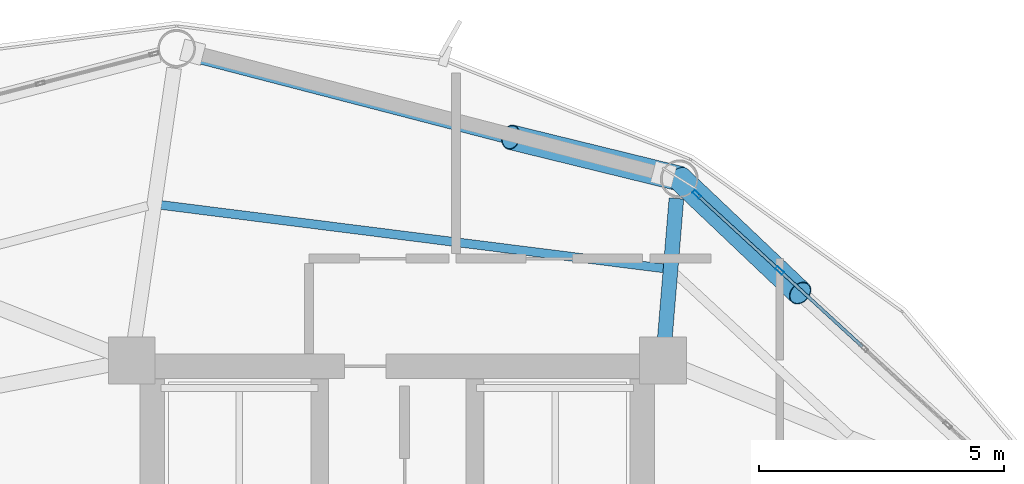
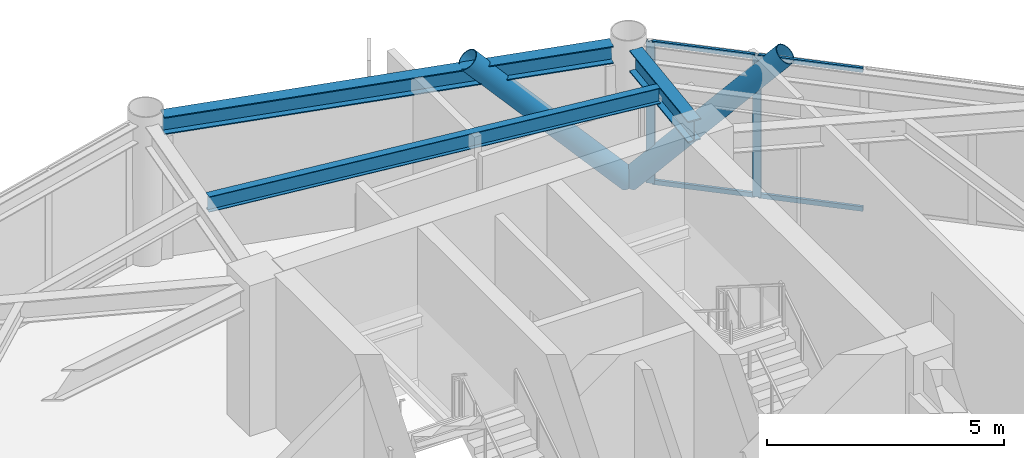
# One storey, part 19 of 25: 8 members, 3 beams, 1 element without a shape of its own.
"""IFC4 building model written with IfcOpenShell, lengths in metres."""

from ifc_helpers import new_model, si_unit, direction, frame, origin, origin_2d, place, context, subcontext, project, spatial, hollow_rectangle, hollow_circle, i_section, extrude, material, layer, layer_set, material_profile, profile_set, type_object, element, aggregate, save


model = new_model("IFC4")

# Units and contexts
model_context = context("Model", 3, precision=1e-05, world=origin(), true_north=direction((0.0, 1.0)))
body_context = subcontext(model_context, "Body", "Model", "MODEL_VIEW")
ifc_project = project(units=[si_unit("LENGTHUNIT", "METRE"), si_unit("AREAUNIT", "SQUARE_METRE"), si_unit("VOLUMEUNIT", "CUBIC_METRE"), si_unit("PLANEANGLEUNIT", "RADIAN"), si_unit("MASSUNIT", "GRAM", prefix="KILO")], contexts=[model_context])

# Site, building, storey
site_placement = place(None, origin())
site = spatial("IfcSite", under=ifc_project, at=site_placement, CompositionType="ELEMENT")
building_placement = place(site_placement, origin())
building = spatial("IfcBuilding", under=site, at=building_placement, Name="Varnakorn Sky Granary", CompositionType="ELEMENT")
storey_placement = place(building_placement, frame((0.0, 0.0, 157.800048828125)))
storey = spatial("IfcBuildingStorey", under=building, at=storey_placement, Name="L39", CompositionType="ELEMENT", Elevation=157.800048828125)

# Beams
ifc_material_1 = material(Name="Steel S355JR", Category="steel")
ifc_material_profile_1 = material_profile(ifc_material_1, i_section(OverallWidth=0.300048828125, OverallDepth=0.550048828125, WebThickness=0.014892578125, FlangeThickness=0.029052734375, at=origin_2d()), Name="HE 550 B")
ifc_profile_set_1 = profile_set([ifc_material_profile_1], Name="Steel S355JR")
beam_type_1 = type_object("IfcBeamType", Name="BM-RAD-Z3", PredefinedType="BEAM", material=ifc_profile_set_1)
beam_1_placement = place(storey_placement, frame((8.45458984375, 13.03857421875, 3.364990234375), z_axis=(0.082605991626, 0.996582284685, 0.0), x_axis=(-0.996582284685, 0.082605991626, 0.0)))
element("IfcBeam", 1, at=beam_1_placement, inside=storey, type_object=beam_type_1, Name="Radial Floor Girder RG03 L39", PredefinedType="BEAM", context=body_context, shape_type="SweptSolid", body=[
    extrude(i_section(OverallWidth=0.300048828125, OverallDepth=0.550048828125, WebThickness=0.014892578125, FlangeThickness=0.029052734375, at=origin_2d()), origin(), (0.0, 0.0, 1.0), 2.896484375),
])
ifc_material_profile_2 = material_profile(ifc_material_1, i_section(OverallWidth=0.179931640625, OverallDepth=0.39990234375, WebThickness=0.008544921875, FlangeThickness=0.013427734375, at=origin_2d()), Name="IPE 400")
ifc_profile_set_2 = profile_set([ifc_material_profile_2], Name="Steel S355JR")
beam_type_2 = type_object("IfcBeamType", Name="BM-SEC-Z3", PredefinedType="BEAM", material=ifc_profile_set_2)
beam_2_placement = place(storey_placement, frame((8.435302734375, 14.49951171875, 3.43994140625), z_axis=(-0.992150137881, 0.125052404625, 0.0), x_axis=(-0.125052404625, -0.992150137881, 0.0)))
element("IfcBeam", 2, at=beam_2_placement, inside=storey, type_object=beam_type_2, Name="Secondary Floor Chord Beam MSB03 L39", PredefinedType="BEAM", context=body_context, shape_type="SweptSolid", body=[
    extrude(i_section(OverallWidth=0.179931640625, OverallDepth=0.39990234375, WebThickness=0.008544921875, FlangeThickness=0.013427734375, at=origin_2d()), origin(), (0.0, 0.0, 1.0), 10.33349609375),
])
ifc_material_profile_3 = material_profile(ifc_material_1, i_section(OverallWidth=0.300048828125, OverallDepth=0.449951171875, WebThickness=0.013916015625, FlangeThickness=0.02587890625, at=origin_2d()), Name="HE 450 B")
ifc_profile_set_3 = profile_set([ifc_material_profile_3], Name="Steel S355JR")
beam_type_3 = type_object("IfcBeamType", Name="BM-SPD-Z3", PredefinedType="SPANDREL", material=ifc_profile_set_3)
beam_3_placement = place(storey_placement, frame((8.369873046875, 16.3818359375, 3.4150390625), z_axis=(-0.967893589884, 0.251360296511, 0.0), x_axis=(-0.251360296511, -0.967893589884, 0.0)))
element("IfcBeam", 3, at=beam_3_placement, inside=storey, type_object=beam_type_3, Name="Perimeter Spandrel Ring Beam RB03 L39", PredefinedType="SPANDREL", context=body_context, shape_type="SweptSolid", body=[
    extrude(i_section(OverallWidth=0.300048828125, OverallDepth=0.449951171875, WebThickness=0.013916015625, FlangeThickness=0.02587890625, at=origin_2d()), origin(), (0.0, 0.0, 1.0), 9.831298828125),
])

# Curtain wall, members
ifc_material_2 = material(Name="Anodised Bronze Aluminium Alloy 6063-T6", Category="aluminium")
ifc_layer = layer(ifc_material_2, 0.179931640625, Name="Anodised Bronze Aluminium Alloy 6063-T6")
ifc_layer_set = layer_set([ifc_layer], Name="Anodised Bronze Aluminium Alloy 6063-T6")
curtain_wall_type = type_object("IfcCurtainWallType", Name="CW-FRM-2", PredefinedType="USERDEFINED", material=ifc_layer_set)
curtain_wall_placement = place(storey_placement, origin())
curtain_wall = element("IfcCurtainWall", 4, at=curtain_wall_placement, inside=storey, type_object=curtain_wall_type, Name="Unitised Curtain Wall CW4 CW-L39-B02", ObjectType="CURTAIN WALL", PredefinedType="USERDEFINED")
ifc_material_profile_4 = material_profile(ifc_material_2, hollow_rectangle(XDim=0.070068359375, YDim=0.18505859375, WallThickness=0.00390625, at=origin_2d()), Name="ALU MULL 70x185")
ifc_profile_set_4 = profile_set([ifc_material_profile_4], Name="Anodised Bronze Aluminium Alloy 6063-T6")
member_type_1 = type_object("IfcMemberType", Name="CW-FRM-2-MULL", PredefinedType="MULLION", material=ifc_profile_set_4)
member_1_placement = place(storey_placement, frame((9.10791015625, 16.009521484375, 0.0), z_axis=(0.0, 0.0, 1.0), x_axis=(0.676758169844, 0.73620539223, 0.0)))
member_1 = element("IfcMember", 5, at=member_1_placement, type_object=member_type_1, Name="CW4 mullion 1", PredefinedType="MULLION", context=body_context, shape_type="SweptSolid", body=[
    extrude(hollow_rectangle(XDim=0.070068359375, YDim=0.18505859375, WallThickness=0.00390625, at=origin_2d()), origin(), (0.0, 0.0, 1.0), 3.639892578125),
])
member_2_placement = place(storey_placement, frame((10.797119140625, 14.456787109375, 0.0), z_axis=(0.0, 0.0, 1.0), x_axis=(0.676758169844, 0.73620539223, 0.0)))
member_2 = element("IfcMember", 6, at=member_2_placement, type_object=member_type_1, Name="CW4 mullion 2", PredefinedType="MULLION", context=body_context, shape_type="SweptSolid", body=[
    extrude(hollow_rectangle(XDim=0.070068359375, YDim=0.18505859375, WallThickness=0.00390625, at=origin_2d()), origin(), (0.0, 0.0, 1.0), 3.639892578125),
])
ifc_material_profile_5 = material_profile(ifc_material_2, hollow_rectangle(XDim=0.06494140625, YDim=0.1201171875, WallThickness=0.00341796875, at=origin_2d()), Name="ALU TRAN 65x120")
ifc_profile_set_5 = profile_set([ifc_material_profile_5], Name="Anodised Bronze Aluminium Alloy 6063-T6")
member_type_2 = type_object("IfcMemberType", Name="CW-FRM-2-TRAN", PredefinedType="USERDEFINED", material=ifc_profile_set_5)
member_3_placement = place(storey_placement, frame((9.1337890625, 15.98583984375, 0.032470703125), z_axis=(0.736173791473, -0.676792544838, 0.0), x_axis=(0.676792544838, 0.736173791473, 0.0)))
member_3 = element("IfcMember", 7, at=member_3_placement, type_object=member_type_2, Name="CW4 transom 1.1", ObjectType="TRANSOM", PredefinedType="USERDEFINED", context=body_context, shape_type="SweptSolid", body=[
    extrude(hollow_rectangle(XDim=0.06494140625, YDim=0.1201171875, WallThickness=0.00341796875, at=origin_2d()), origin(), (0.0, 0.0, 1.0), 2.224365234375),
])
member_4_placement = place(storey_placement, frame((9.1337890625, 15.98583984375, 3.607421875), z_axis=(0.736173791473, -0.676792544838, 0.0), x_axis=(0.676792544838, 0.736173791473, 0.0)))
member_4 = element("IfcMember", 8, at=member_4_placement, type_object=member_type_2, Name="CW4 transom 1.2", ObjectType="TRANSOM", PredefinedType="USERDEFINED", context=body_context, shape_type="SweptSolid", body=[
    extrude(hollow_rectangle(XDim=0.06494140625, YDim=0.1201171875, WallThickness=0.00341796875, at=origin_2d()), origin(), (0.0, 0.0, 1.0), 2.224365234375),
])
member_5_placement = place(storey_placement, frame((10.82275390625, 14.43310546875, 0.032470703125), z_axis=(0.736247494984, -0.676712365877, 0.0), x_axis=(0.676712365877, 0.736247494984, 0.0)))
member_5 = element("IfcMember", 9, at=member_5_placement, type_object=member_type_2, Name="CW4 transom 2.1", ObjectType="TRANSOM", PredefinedType="USERDEFINED", context=body_context, shape_type="SweptSolid", body=[
    extrude(hollow_rectangle(XDim=0.06494140625, YDim=0.1201171875, WallThickness=0.00341796875, at=origin_2d()), origin(), (0.0, 0.0, 1.0), 2.259521484375),
])
member_6_placement = place(storey_placement, frame((10.82275390625, 14.43310546875, 3.607421875), z_axis=(0.736247494984, -0.676712365877, 0.0), x_axis=(0.676712365877, 0.736247494984, 0.0)))
member_6 = element("IfcMember", 10, at=member_6_placement, type_object=member_type_2, Name="CW4 transom 2.2", ObjectType="TRANSOM", PredefinedType="USERDEFINED", context=body_context, shape_type="SweptSolid", body=[
    extrude(hollow_rectangle(XDim=0.06494140625, YDim=0.1201171875, WallThickness=0.00341796875, at=origin_2d()), origin(), (0.0, 0.0, 1.0), 2.259521484375),
])
aggregate(curtain_wall, [member_1, member_2, member_3, member_4, member_5, member_6])

# Members
ifc_material_3 = material(Name="Steel S460M", Category="steel")
ifc_material_profile_6 = material_profile(ifc_material_3, hollow_circle(Radius=0.25390625, WallThickness=0.01806640625, at=origin_2d()), Name="CHS 508x18")
ifc_profile_set_6 = profile_set([ifc_material_profile_6], Name="Steel S460M")
member_type_3 = type_object("IfcMemberType", Name="MB-DIAG-T2", PredefinedType="BRACE", material=ifc_profile_set_6)
member_7_placement = place(storey_placement, frame((8.757568359375, 16.33154296875, 0.0), z_axis=(0.483777998943, -0.459303563921, 0.744982606447), x_axis=(0.688524443345, 0.72521313482, 0.0)))
element("IfcMember", 11, at=member_7_placement, inside=storey, type_object=member_type_3, Name="Perimeter CHS Diagrid Brace DG02 L39", PredefinedType="BRACE", context=body_context, shape_type="SweptSolid", body=[
    extrude(hollow_circle(Radius=0.25390625, WallThickness=0.01806640625, at=origin_2d()), origin(), (0.0, 0.0, 1.0), 5.08740234375),
])
member_8_placement = place(storey_placement, frame((8.757568359375, 16.33154296875, 0.0), z_axis=(-0.663323897557, 0.162525412652, 0.730470326004), x_axis=(-0.237977504547, -0.971270666359, 0.0)))
element("IfcMember", 12, at=member_8_placement, inside=storey, type_object=member_type_3, Name="Perimeter CHS Diagrid Brace DG03 L39", PredefinedType="BRACE", context=body_context, shape_type="SweptSolid", body=[
    extrude(hollow_circle(Radius=0.25390625, WallThickness=0.01806640625, at=origin_2d()), origin(), (0.0, 0.0, 1.0), 5.1884765625),
])

save(model, "model.ifc")
